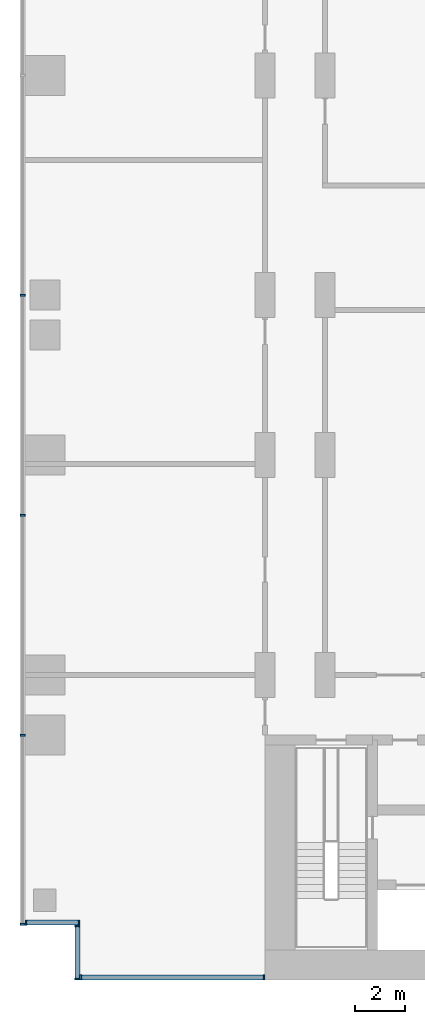
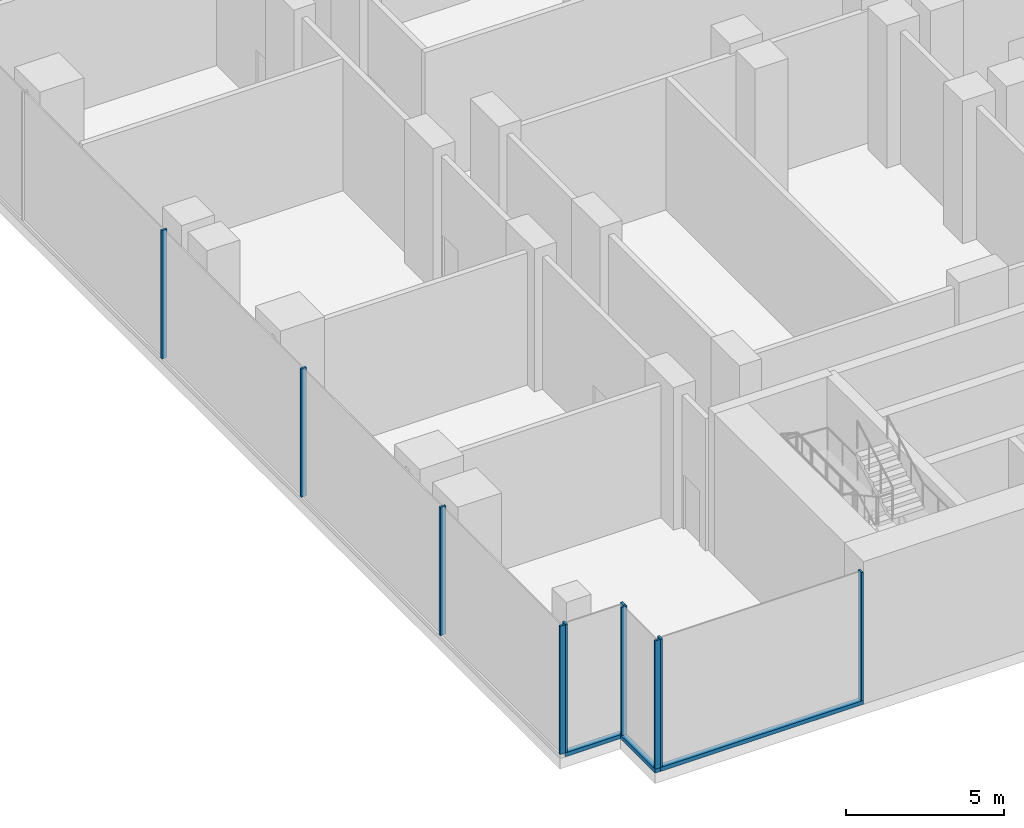
# One storey, part 2 of 30: 13 members, 4 elements without a shape of their own.
"""IFC4 building model written with IfcOpenShell, lengths in metres."""

from ifc_helpers import new_model, si_unit, direction, frame, origin, origin_2d, place, context, subcontext, project, spatial, rectangle, extrude, source, transform, mapped, material, material_profile, profile_set, type_object, element, aggregate, save


model = new_model("IFC4")

# Units and contexts
model_context = context("Model", 3, precision=1e-05, world=origin(), true_north=direction((0.0, 1.0)))
body_context = subcontext(model_context, "Body", "Model", "MODEL_VIEW")
ifc_project = project(units=[si_unit("LENGTHUNIT", "METRE"), si_unit("AREAUNIT", "SQUARE_METRE"), si_unit("VOLUMEUNIT", "CUBIC_METRE"), si_unit("PLANEANGLEUNIT", "RADIAN"), si_unit("MASSUNIT", "GRAM", prefix="KILO")], contexts=[model_context])

# Site, building, storey
site_placement = place(None, origin())
site = spatial("IfcSite", under=ifc_project, at=site_placement, CompositionType="ELEMENT")
building_placement = place(site_placement, origin())
building = spatial("IfcBuilding", under=site, at=building_placement, Name="Kemantara Hotel Tower", CompositionType="ELEMENT")
storey_placement = place(building_placement, frame((0.0, 0.0, 23.5)))
storey = spatial("IfcBuildingStorey", under=building, at=storey_placement, Name="L04", CompositionType="ELEMENT", Elevation=23.5)

# Curtain wall, member
ifc_material_1 = material(Name="Laminated tinted insulated glass 44 mm", Category="glass")
curtain_wall_type = type_object("IfcCurtainWallType", Name="PODIUM GLASS CURTAIN WALL", PredefinedType="USERDEFINED", material=ifc_material_1)
curtain_wall_1_placement = place(storey_placement, origin())
curtain_wall_1 = element("IfcCurtainWall", 1, at=curtain_wall_1_placement, inside=storey, type_object=curtain_wall_type, Name="CW1 L04 POD-R01-1", ObjectType="PODIUM GLASS CURTAIN WALL", PredefinedType="USERDEFINED")
ifc_material_2 = material(Name="Aluminium 6063-T6 bronze anodised", Category="aluminium")
ifc_material_profile_1 = material_profile(ifc_material_2, rectangle(XDim=0.199951171875, YDim=0.14990234375, at=origin_2d()), Name="PODIUM GLASS CURTAIN WALL TRANSOM")
ifc_profile_set_1 = profile_set([ifc_material_profile_1], Name="Aluminium 6063-T6 bronze anodised")
member_type_1 = type_object("IfcMemberType", Name="PODIUM GLASS CURTAIN WALL TRANSOM", PredefinedType="USERDEFINED", material=ifc_profile_set_1)
member_1_placement = place(storey_placement, frame((2.39990234375, 0.10009765625, 0.074951171875), z_axis=(1.0, 0.0, 0.0), x_axis=(0.0, 1.0, 0.0)))
member_1 = element("IfcMember", 2, at=member_1_placement, type_object=member_type_1, Name="CW1 sill transom POD-R01-1", ObjectType="TRANSOM", PredefinedType="USERDEFINED", context=body_context, shape_type="SweptSolid", body=[
    extrude(rectangle(XDim=0.199951171875, YDim=0.14990234375, at=origin_2d()), origin(), (0.0, 0.0, 1.0), 7.400146484375),
])

curtain_wall_2_placement = place(storey_placement, origin())
curtain_wall_2 = element("IfcCurtainWall", 3, at=curtain_wall_2_placement, inside=storey, type_object=curtain_wall_type, Name="CW1 L04 POD-R00-1", ObjectType="PODIUM GLASS CURTAIN WALL", PredefinedType="USERDEFINED")
member_2_placement = place(storey_placement, frame((2.300048828125, 2.199951171875, 0.074951171875), z_axis=(0.0, -1.0, 0.0), x_axis=(1.0, 0.0, 0.0)))
member_2 = element("IfcMember", 4, at=member_2_placement, type_object=member_type_1, Name="CW1 sill transom POD-R00-1", ObjectType="TRANSOM", PredefinedType="USERDEFINED", context=body_context, shape_type="SweptSolid", body=[
    extrude(rectangle(XDim=0.199951171875, YDim=0.14990234375, at=origin_2d()), origin(), (0.0, 0.0, 1.0), 2.199951171875),
])

curtain_wall_3_placement = place(storey_placement, origin())
curtain_wall_3 = element("IfcCurtainWall", 5, at=curtain_wall_3_placement, inside=storey, type_object=curtain_wall_type, Name="CW1 L04 POD-R17-1", ObjectType="PODIUM GLASS CURTAIN WALL", PredefinedType="USERDEFINED")
member_3_placement = place(storey_placement, frame((0.199951171875, 2.300048828125, 0.074951171875), z_axis=(1.0, 0.0, 0.0), x_axis=(0.0, 1.0, 0.0)))
member_3 = element("IfcMember", 6, at=member_3_placement, type_object=member_type_1, Name="CW1 sill transom POD-R17-1", ObjectType="TRANSOM", PredefinedType="USERDEFINED", context=body_context, shape_type="SweptSolid", body=[
    extrude(rectangle(XDim=0.199951171875, YDim=0.14990234375, at=origin_2d()), origin(), (0.0, 0.0, 1.0), 2.199951171875),
])

# Member
ifc_material_profile_2 = material_profile(ifc_material_2, rectangle(XDim=0.199951171875, YDim=0.074951171875, at=origin_2d()), Name="PODIUM GLASS CURTAIN WALL MULLION")
ifc_profile_set_2 = profile_set([ifc_material_profile_2], Name="Aluminium 6063-T6 bronze anodised")
member_type_2 = type_object("IfcMemberType", Name="PODIUM GLASS CURTAIN WALL MULLION", PredefinedType="MULLION", material=ifc_profile_set_2)
shared_shape = source(origin(), body_context, "Body", "SweptSolid", [
    extrude(rectangle(XDim=0.199951171875, YDim=0.074951171875, at=origin_2d()), origin(), (0.0, 0.0, 1.0), 4.9501953125),
])
member_4_placement = place(storey_placement, frame((2.4375, 0.10009765625, 0.14990234375), z_axis=(0.0, 0.0, 1.0), x_axis=(0.0, 1.0, 0.0)))
member_4 = element("IfcMember", 7, at=member_4_placement, type_object=member_type_2, Name="CW1 mullion POD-R01-1.1", PredefinedType="MULLION", context=body_context, shape_type="MappedRepresentation", body=[
    mapped(shared_shape, transform((0.0, 0.0, 0.0))),
])

member_5_placement = place(storey_placement, frame((9.762451171875, 0.10009765625, 0.14990234375), z_axis=(0.0, 0.0, 1.0), x_axis=(0.0, 1.0, 0.0)))
member_5 = element("IfcMember", 8, at=member_5_placement, type_object=member_type_2, Name="CW1 mullion POD-R01-1.2", PredefinedType="MULLION", context=body_context, shape_type="MappedRepresentation", body=[
    mapped(shared_shape, transform((0.0, 0.0, 0.0))),
])

aggregate(curtain_wall_1, [member_1, member_4, member_5])

# Curtain wall, members
curtain_wall_4_placement = place(storey_placement, origin())
curtain_wall_4 = element("IfcCurtainWall", 9, at=curtain_wall_4_placement, inside=storey, type_object=curtain_wall_type, Name="CW1 L04 POD-R16-1", ObjectType="PODIUM GLASS CURTAIN WALL", PredefinedType="USERDEFINED")
member_6_placement = place(storey_placement, frame((0.10009765625, 27.39990234375, 0.14990234375), z_axis=(0.0, 0.0, 1.0), x_axis=(1.0, 0.0, 0.0)))
member_6 = element("IfcMember", 10, at=member_6_placement, type_object=member_type_2, Name="CW1 mullion POD-R16-1.7", PredefinedType="MULLION", context=body_context, shape_type="MappedRepresentation", body=[
    mapped(shared_shape, transform((0.0, 0.0, 0.0))),
])
member_7_placement = place(storey_placement, frame((0.10009765625, 18.60009765625, 0.14990234375), z_axis=(0.0, 0.0, 1.0), x_axis=(1.0, 0.0, 0.0)))
member_7 = element("IfcMember", 11, at=member_7_placement, type_object=member_type_2, Name="CW1 mullion POD-R16-1.8", PredefinedType="MULLION", context=body_context, shape_type="MappedRepresentation", body=[
    mapped(shared_shape, transform((0.0, 0.0, 0.0))),
])
member_8_placement = place(storey_placement, frame((0.10009765625, 9.800048828125, 0.14990234375), z_axis=(0.0, 0.0, 1.0), x_axis=(1.0, 0.0, 0.0)))
member_8 = element("IfcMember", 12, at=member_8_placement, type_object=member_type_2, Name="CW1 mullion POD-R16-1.9", PredefinedType="MULLION", context=body_context, shape_type="MappedRepresentation", body=[
    mapped(shared_shape, transform((0.0, 0.0, 0.0))),
])
member_9_placement = place(storey_placement, frame((0.10009765625, 2.237548828125, 0.14990234375), z_axis=(0.0, 0.0, 1.0), x_axis=(1.0, 0.0, 0.0)))
member_9 = element("IfcMember", 13, at=member_9_placement, type_object=member_type_2, Name="CW1 mullion POD-R16-1.10", PredefinedType="MULLION", context=body_context, shape_type="MappedRepresentation", body=[
    mapped(shared_shape, transform((0.0, 0.0, 0.0))),
])
aggregate(curtain_wall_4, [member_6, member_7, member_8, member_9])

# Member
member_10_placement = place(storey_placement, frame((2.300048828125, 2.16259765625, 0.14990234375), z_axis=(0.0, 0.0, 1.0), x_axis=(1.0, 0.0, 0.0)))
member_10 = element("IfcMember", 14, at=member_10_placement, type_object=member_type_2, Name="CW1 mullion POD-R00-1.1", PredefinedType="MULLION", context=body_context, shape_type="MappedRepresentation", body=[
    mapped(shared_shape, transform((0.0, 0.0, 0.0))),
])

member_11_placement = place(storey_placement, frame((2.300048828125, 0.03759765625, 0.14990234375), z_axis=(0.0, 0.0, 1.0), x_axis=(1.0, 0.0, 0.0)))
member_11 = element("IfcMember", 15, at=member_11_placement, type_object=member_type_2, Name="CW1 mullion POD-R00-1.2", PredefinedType="MULLION", context=body_context, shape_type="MappedRepresentation", body=[
    mapped(shared_shape, transform((0.0, 0.0, 0.0))),
])

aggregate(curtain_wall_2, [member_2, member_10, member_11])

member_12_placement = place(storey_placement, frame((0.237548828125, 2.300048828125, 0.14990234375), z_axis=(0.0, 0.0, 1.0), x_axis=(0.0, 1.0, 0.0)))
member_12 = element("IfcMember", 16, at=member_12_placement, type_object=member_type_2, Name="CW1 mullion POD-R17-1.1", PredefinedType="MULLION", context=body_context, shape_type="MappedRepresentation", body=[
    mapped(shared_shape, transform((0.0, 0.0, 0.0))),
])

member_13_placement = place(storey_placement, frame((2.362548828125, 2.300048828125, 0.14990234375), z_axis=(0.0, 0.0, 1.0), x_axis=(0.0, 1.0, 0.0)))
member_13 = element("IfcMember", 17, at=member_13_placement, type_object=member_type_2, Name="CW1 mullion POD-R17-1.2", PredefinedType="MULLION", context=body_context, shape_type="MappedRepresentation", body=[
    mapped(shared_shape, transform((0.0, 0.0, 0.0))),
])

aggregate(curtain_wall_3, [member_3, member_12, member_13])

save(model, "model.ifc")
